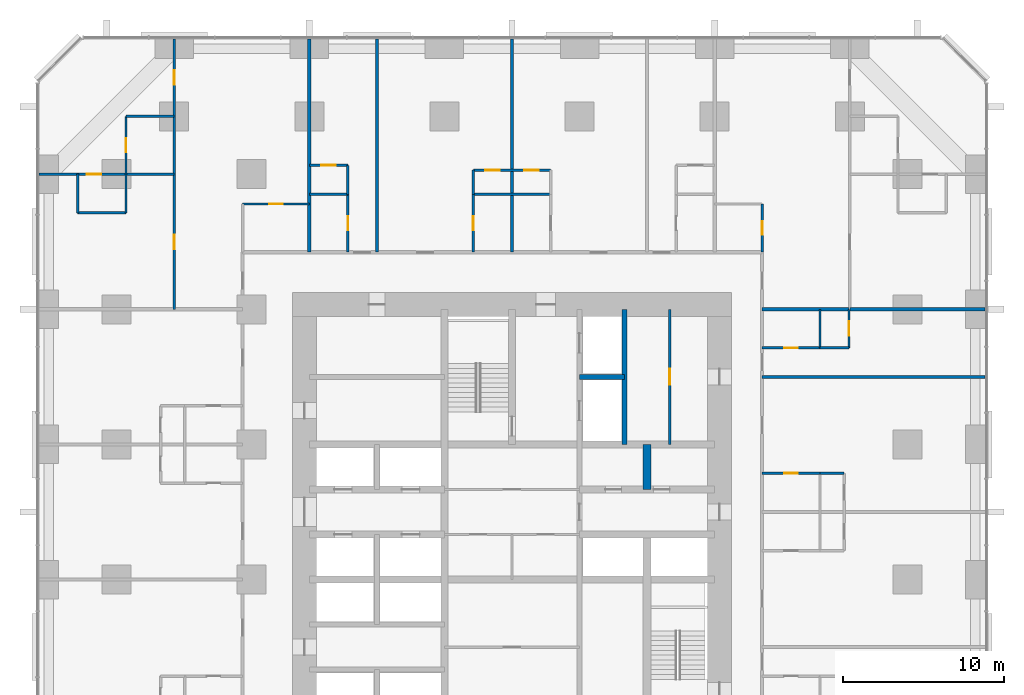
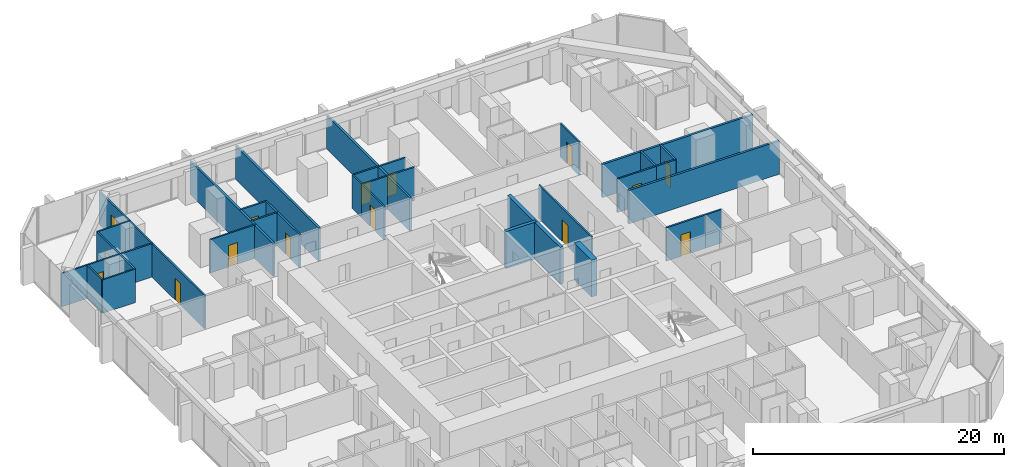
# One storey, part 15 of 17: 33 walls, 15 doors, 15 openings.
"""IFC4 building model written with IfcOpenShell, lengths in metres."""

from ifc_helpers import new_model, si_unit, direction, frame, frame_2d, origin, place, context, subcontext, project, spatial, rectangle, extrude, material, layer, layer_set, type_object, element, fill, save


model = new_model("IFC4")

# Units and contexts
model_context = context("Model", 3, precision=1e-05, world=origin(), true_north=direction((0.0, 1.0)))
body_context = subcontext(model_context, "Body", "Model", "MODEL_VIEW")
ifc_project = project(units=[si_unit("LENGTHUNIT", "METRE"), si_unit("AREAUNIT", "SQUARE_METRE"), si_unit("VOLUMEUNIT", "CUBIC_METRE"), si_unit("PLANEANGLEUNIT", "RADIAN"), si_unit("MASSUNIT", "GRAM", prefix="KILO")], contexts=[model_context])

# Site, building, storey
site_placement = place(None, origin())
site = spatial("IfcSite", under=ifc_project, at=site_placement, CompositionType="ELEMENT")
building_placement = place(site_placement, origin())
building = spatial("IfcBuilding", under=site, at=building_placement, Name="Dunama Terrace Hotel", CompositionType="ELEMENT")
storey_placement = place(building_placement, frame((0.0, 0.0, 70.199951171875)))
storey = spatial("IfcBuildingStorey", under=building, at=storey_placement, Name="L17", CompositionType="ELEMENT", Elevation=70.199951171875)

# Wall, opening, door
ifc_material_1 = material(Name="Gypsum board partition", Category="masonry")
ifc_layer_1 = layer(ifc_material_1, 0.14990234375)
ifc_layer_set_1 = layer_set([ifc_layer_1], Name="Bathroom partition 150")
wall_type_1 = type_object("IfcWallType", Name="Bathroom partition 150", PredefinedType="PARTITIONING", material=ifc_layer_set_1)
wall_1_placement = place(storey_placement, frame((5.39990234375, 50.39990234375, 0.0), z_axis=(0.0, 0.0, 1.0), x_axis=(0.0, 1.0, 0.0)))
wall_1 = element("IfcWall", 1, at=wall_1_placement, inside=storey, type_object=wall_type_1, Name="Bathroom partition 150 L17", PredefinedType="PARTITIONING", context=body_context, shape_type="SweptSolid", body=[
    extrude(rectangle(XDim=3.60009765625, YDim=0.14990234375, at=frame_2d((1.800048828125, 0.0))), origin(), (0.0, 0.0, 1.0), 3.25),
])
opening_1_placement = place(wall_1_placement, frame((1.375, 0.0, 0.0)))
opening_1 = element("IfcOpeningElement", 2, at=opening_1_placement, cuts=wall_1, Name="Opening L17-19-081", PredefinedType="OPENING", context=body_context, shape_type="SweptSolid", body=[
    extrude(rectangle(XDim=0.85009765625, YDim=2.10009765625, at=frame_2d((0.425048828125, 1.050048828125))), frame((0.0, 0.0849609375, 0.0), z_axis=(0.0, -1.0, 0.0), x_axis=(1.0, 0.0, 0.0)), (0.0, 0.0, 1.0), 0.169921875),
])
ifc_material_2 = material(Name="Timber door with steel frame", Category="steel")
door_type_1 = type_object("IfcDoorType", Name="Bathroom door 850", OperationType="SINGLE_SWING_LEFT", PredefinedType="DOOR", material=ifc_material_2)
door_1_placement = place(opening_1_placement, frame((0.85009765625, 0.0, 0.0), z_axis=(0.0, 0.0, 1.0), x_axis=(-1.0, 0.0, 0.0)))
door_1 = element("IfcDoor", 3, at=door_1_placement, inside=storey, type_object=door_type_1, Name="Door to en-suite bathroom L17-19-081, type D2", OperationType="SINGLE_SWING_RIGHT", OverallHeight=2.10009765625, OverallWidth=0.85009765625, PredefinedType="DOOR", context=body_context, shape_type="SweptSolid", body=[
    extrude(rectangle(XDim=0.85009765625, YDim=2.10009765625, at=frame_2d((0.425048828125, 1.050048828125))), frame((0.0, 0.025146484375, 0.0), z_axis=(0.0, -1.0, 0.0), x_axis=(1.0, 0.0, 0.0)), (0.0, 0.0, 1.0), 0.050048828125),
])
fill(opening_1, door_1)

wall_2_placement = place(storey_placement, frame((19.199951171875, 45.550048828125, 0.0), z_axis=(0.0, 0.0, 1.0), x_axis=(0.0, 1.0, 0.0)))
wall_2 = element("IfcWall", 4, at=wall_2_placement, inside=storey, type_object=wall_type_1, Name="Bathroom partition 150 L17", PredefinedType="PARTITIONING", context=body_context, shape_type="SweptSolid", body=[
    extrude(rectangle(XDim=3.599853515625, YDim=0.14990234375, at=frame_2d((1.7998046875, 0.0))), origin(), (0.0, 0.0, 1.0), 3.25),
])
opening_2_placement = place(wall_2_placement, frame((1.375, 0.0, 0.0)))
opening_2 = element("IfcOpeningElement", 5, at=opening_2_placement, cuts=wall_2, Name="Opening L17-19-040", PredefinedType="OPENING", context=body_context, shape_type="SweptSolid", body=[
    extrude(rectangle(XDim=0.85009765625, YDim=2.10009765625, at=frame_2d((0.425048828125, 1.050048828125))), frame((0.0, 0.0849609375, 0.0), z_axis=(0.0, -1.0, 0.0), x_axis=(1.0, 0.0, 0.0)), (0.0, 0.0, 1.0), 0.169921875),
])
door_2_placement = place(opening_2_placement, origin())
door_2 = element("IfcDoor", 6, at=door_2_placement, inside=storey, type_object=door_type_1, Name="Door to en-suite bathroom L17-19-040, type D2", OperationType="SINGLE_SWING_LEFT", OverallHeight=2.10009765625, OverallWidth=0.85009765625, PredefinedType="DOOR", context=body_context, shape_type="SweptSolid", body=[
    extrude(rectangle(XDim=0.85009765625, YDim=2.10009765625, at=frame_2d((0.425048828125, 1.050048828125))), frame((0.0, 0.02490234375, 0.0), z_axis=(0.0, -1.0, 0.0), x_axis=(1.0, 0.0, 0.0)), (0.0, 0.0, 1.0), 0.050048828125),
])
fill(opening_2, door_2)

wall_3_placement = place(storey_placement, frame((27.0, 45.550048828125, 0.0), z_axis=(0.0, 0.0, 1.0), x_axis=(0.0, 1.0, 0.0)))
wall_3 = element("IfcWall", 7, at=wall_3_placement, inside=storey, type_object=wall_type_1, Name="Bathroom partition 150 L17", PredefinedType="PARTITIONING", context=body_context, shape_type="SweptSolid", body=[
    extrude(rectangle(XDim=3.599853515625, YDim=0.14990234375, at=frame_2d((1.7998046875, 0.0))), origin(), (0.0, 0.0, 1.0), 3.25),
])
opening_3_placement = place(wall_3_placement, frame((1.375, 0.0, 0.0)))
opening_3 = element("IfcOpeningElement", 8, at=opening_3_placement, cuts=wall_3, Name="Opening L17-19-043", PredefinedType="OPENING", context=body_context, shape_type="SweptSolid", body=[
    extrude(rectangle(XDim=0.85009765625, YDim=2.10009765625, at=frame_2d((0.425048828125, 1.050048828125))), frame((0.0, 0.0849609375, 0.0), z_axis=(0.0, -1.0, 0.0), x_axis=(1.0, 0.0, 0.0)), (0.0, 0.0, 1.0), 0.169921875),
])
door_3_placement = place(opening_3_placement, frame((0.85009765625, 0.0, 0.0), z_axis=(0.0, 0.0, 1.0), x_axis=(-1.0, 0.0, 0.0)))
door_3 = element("IfcDoor", 9, at=door_3_placement, inside=storey, type_object=door_type_1, Name="Door to en-suite bathroom L17-19-043, type D2", OperationType="SINGLE_SWING_RIGHT", OverallHeight=2.10009765625, OverallWidth=0.85009765625, PredefinedType="DOOR", context=body_context, shape_type="SweptSolid", body=[
    extrude(rectangle(XDim=0.85009765625, YDim=2.10009765625, at=frame_2d((0.425048828125, 1.050048828125))), frame((0.0, 0.025146484375, 0.0), z_axis=(0.0, -1.0, 0.0), x_axis=(1.0, 0.0, 0.0)), (0.0, 0.0, 1.0), 0.050048828125),
])
fill(opening_3, door_3)

wall_4_placement = place(storey_placement, frame((44.949951171875, 45.550048828125, 0.0), z_axis=(0.0, 0.0, 1.0), x_axis=(0.0, 1.0, 0.0)))
wall_4 = element("IfcWall", 10, at=wall_4_placement, inside=storey, type_object=wall_type_1, Name="Bathroom partition 150 L17", PredefinedType="PARTITIONING", context=body_context, shape_type="SweptSolid", body=[
    extrude(rectangle(XDim=3.0, YDim=0.14990234375, at=frame_2d((1.5, 0.0))), origin(), (0.0, 0.0, 1.0), 3.25),
])
opening_4_placement = place(wall_4_placement, frame((1.074951171875, 0.0, 0.0)))
opening_4 = element("IfcOpeningElement", 11, at=opening_4_placement, cuts=wall_4, Name="Opening L17-19-073", PredefinedType="OPENING", context=body_context, shape_type="SweptSolid", body=[
    extrude(rectangle(XDim=0.85009765625, YDim=2.10009765625, at=frame_2d((0.425048828125, 1.050048828125))), frame((0.0, 0.0849609375, 0.0), z_axis=(0.0, -1.0, 0.0), x_axis=(1.0, 0.0, 0.0)), (0.0, 0.0, 1.0), 0.169921875),
])
door_4_placement = place(opening_4_placement, origin())
door_4 = element("IfcDoor", 12, at=door_4_placement, inside=storey, type_object=door_type_1, Name="Door to powder room L17-19-073, type D2", OperationType="SINGLE_SWING_LEFT", OverallHeight=2.10009765625, OverallWidth=0.85009765625, PredefinedType="DOOR", context=body_context, shape_type="SweptSolid", body=[
    extrude(rectangle(XDim=0.85009765625, YDim=2.10009765625, at=frame_2d((0.425048828125, 1.050048828125))), frame((0.0, 0.02490234375, 0.0), z_axis=(0.0, -1.0, 0.0), x_axis=(1.0, 0.0, 0.0)), (0.0, 0.0, 1.0), 0.050048828125),
])
fill(opening_4, door_4)

wall_5_placement = place(storey_placement, frame((44.949951171875, 31.800048828125, 0.0), z_axis=(0.0, 0.0, 1.0), x_axis=(1.0, 0.0, 0.0)))
wall_5 = element("IfcWall", 13, at=wall_5_placement, inside=storey, type_object=wall_type_1, Name="Bathroom partition 150 L17", PredefinedType="PARTITIONING", context=body_context, shape_type="SweptSolid", body=[
    extrude(rectangle(XDim=3.60009765625, YDim=0.14990234375, at=frame_2d((1.800048828125, 0.0))), origin(), (0.0, 0.0, 1.0), 3.25),
])
opening_5_placement = place(wall_5_placement, frame((1.375, 0.0, 0.0)))
opening_5 = element("IfcOpeningElement", 14, at=opening_5_placement, cuts=wall_5, Name="Opening L17-19-034", PredefinedType="OPENING", context=body_context, shape_type="SweptSolid", body=[
    extrude(rectangle(XDim=0.85009765625, YDim=2.10009765625, at=frame_2d((0.425048828125, 1.050048828125))), frame((0.0, 0.0849609375, 0.0), z_axis=(0.0, -1.0, 0.0), x_axis=(1.0, 0.0, 0.0)), (0.0, 0.0, 1.0), 0.169921875),
])
door_5_placement = place(opening_5_placement, frame((0.85009765625, 0.0, 0.0), z_axis=(0.0, 0.0, 1.0), x_axis=(-1.0, 0.0, 0.0)))
door_5 = element("IfcDoor", 15, at=door_5_placement, inside=storey, type_object=door_type_1, Name="Door to en-suite bathroom L17-19-034, type D2", OperationType="SINGLE_SWING_RIGHT", OverallHeight=2.10009765625, OverallWidth=0.85009765625, PredefinedType="DOOR", context=body_context, shape_type="SweptSolid", body=[
    extrude(rectangle(XDim=0.85009765625, YDim=2.10009765625, at=frame_2d((0.425048828125, 1.050048828125))), frame((0.0, 0.025146484375, 0.0), z_axis=(0.0, -1.0, 0.0), x_axis=(1.0, 0.0, 0.0)), (0.0, 0.0, 1.0), 0.050048828125),
])
fill(opening_5, door_5)

wall_6_placement = place(storey_placement, frame((44.949951171875, 39.60009765625, 0.0), z_axis=(0.0, 0.0, 1.0), x_axis=(1.0, 0.0, 0.0)))
wall_6 = element("IfcWall", 16, at=wall_6_placement, inside=storey, type_object=wall_type_1, Name="Bathroom partition 150 L17", PredefinedType="PARTITIONING", context=body_context, shape_type="SweptSolid", body=[
    extrude(rectangle(XDim=3.60009765625, YDim=0.14990234375, at=frame_2d((1.800048828125, 0.0))), origin(), (0.0, 0.0, 1.0), 3.25),
])
opening_6_placement = place(wall_6_placement, frame((1.375, 0.0, 0.0)))
opening_6 = element("IfcOpeningElement", 17, at=opening_6_placement, cuts=wall_6, Name="Opening L17-19-037", PredefinedType="OPENING", context=body_context, shape_type="SweptSolid", body=[
    extrude(rectangle(XDim=0.85009765625, YDim=2.10009765625, at=frame_2d((0.425048828125, 1.050048828125))), frame((0.0, 0.0849609375, 0.0), z_axis=(0.0, -1.0, 0.0), x_axis=(1.0, 0.0, 0.0)), (0.0, 0.0, 1.0), 0.169921875),
])
door_6_placement = place(opening_6_placement, origin())
door_6 = element("IfcDoor", 18, at=door_6_placement, inside=storey, type_object=door_type_1, Name="Door to en-suite bathroom L17-19-037, type D2", OperationType="SINGLE_SWING_LEFT", OverallHeight=2.10009765625, OverallWidth=0.85009765625, PredefinedType="DOOR", context=body_context, shape_type="SweptSolid", body=[
    extrude(rectangle(XDim=0.85009765625, YDim=2.10009765625, at=frame_2d((0.425048828125, 1.050048828125))), frame((0.0, 0.02490234375, 0.0), z_axis=(0.0, -1.0, 0.0), x_axis=(1.0, 0.0, 0.0)), (0.0, 0.0, 1.0), 0.050048828125),
])
fill(opening_6, door_6)

wall_7_placement = place(storey_placement, frame((12.64990234375, 48.550048828125, 0.0), z_axis=(0.0, 0.0, 1.0), x_axis=(1.0, 0.0, 0.0)))
wall_7 = element("IfcWall", 19, at=wall_7_placement, inside=storey, type_object=wall_type_1, Name="Bathroom partition 150 L17", PredefinedType="PARTITIONING", context=body_context, shape_type="SweptSolid", body=[
    extrude(rectangle(XDim=4.150146484375, YDim=0.14990234375, at=frame_2d((2.0751953125, 0.0))), origin(), (0.0, 0.0, 1.0), 3.25),
])
opening_7_placement = place(wall_7_placement, frame((1.64990234375, 0.0, 0.0)))
opening_7 = element("IfcOpeningElement", 20, at=opening_7_placement, cuts=wall_7, Name="Opening L17-19-079", PredefinedType="OPENING", context=body_context, shape_type="SweptSolid", body=[
    extrude(rectangle(XDim=0.85009765625, YDim=2.10009765625, at=frame_2d((0.425048828125, 1.050048828125))), frame((0.0, 0.0849609375, 0.0), z_axis=(0.0, -1.0, 0.0), x_axis=(1.0, 0.0, 0.0)), (0.0, 0.0, 1.0), 0.169921875),
])
door_7_placement = place(opening_7_placement, frame((0.85009765625, 0.0, 0.0), z_axis=(0.0, 0.0, 1.0), x_axis=(-1.0, 0.0, 0.0)))
door_7 = element("IfcDoor", 21, at=door_7_placement, inside=storey, type_object=door_type_1, Name="Door to powder room L17-19-079, type D2", OperationType="SINGLE_SWING_RIGHT", OverallHeight=2.10009765625, OverallWidth=0.85009765625, PredefinedType="DOOR", context=body_context, shape_type="SweptSolid", body=[
    extrude(rectangle(XDim=0.85009765625, YDim=2.10009765625, at=frame_2d((0.425048828125, 1.050048828125))), frame((0.0, 0.025146484375, 0.0), z_axis=(0.0, -1.0, 0.0), x_axis=(1.0, 0.0, 0.0)), (0.0, 0.0, 1.0), 0.050048828125),
])
fill(opening_7, door_7)

# Walls
wall_8_placement = place(storey_placement, frame((5.39990234375, 54.0, 0.0), z_axis=(0.0, 0.0, 1.0), x_axis=(1.0, 0.0, 0.0)))
element("IfcWall", 22, at=wall_8_placement, inside=storey, type_object=wall_type_1, Name="Bathroom partition 150 L17", PredefinedType="PARTITIONING", context=body_context, shape_type="SweptSolid", body=[
    extrude(rectangle(XDim=3.0, YDim=0.14990234375, at=frame_2d((1.5, 0.0))), origin(), (0.0, 0.0, 1.0), 3.25),
])
ifc_material_3 = material(Name="Concrete C50/60", Category="concrete")
ifc_layer_2 = layer(ifc_material_3, 0.300048828125)
ifc_layer_set_2 = layer_set([ifc_layer_2], Name="Core inner wall 300")
wall_type_2 = type_object("IfcWallType", Name="Core inner wall 300", PredefinedType="SHEAR", material=ifc_layer_set_2)
wall_9_placement = place(storey_placement, frame((36.39990234375, 33.60009765625, -0.349853515625), z_axis=(0.0, 0.0, 1.0), x_axis=(0.0, 1.0, 0.0)))
element("IfcWall", 23, at=wall_9_placement, inside=storey, type_object=wall_type_2, Name="Core inner wall 300 L17", PredefinedType="SHEAR", context=body_context, shape_type="SweptSolid", body=[
    extrude(rectangle(XDim=8.39990234375, YDim=0.300048828125, at=frame_2d((4.199951171875, 0.0))), origin(), (0.0, 0.0, 1.0), 3.599853515625),
])
wall_10_placement = place(storey_placement, frame((33.60009765625, 37.800048828125, -0.349853515625), z_axis=(0.0, 0.0, 1.0), x_axis=(1.0, 0.0, 0.0)))
element("IfcWall", 24, at=wall_10_placement, inside=storey, type_object=wall_type_2, Name="Core inner wall 300 L17", PredefinedType="SHEAR", context=body_context, shape_type="SweptSolid", body=[
    extrude(rectangle(XDim=2.7998046875, YDim=0.300048828125, at=frame_2d((1.39990234375, 0.0))), origin(), (0.0, 0.0, 1.0), 3.599853515625),
])
ifc_material_4 = material(Name="Concrete C50/60", Category="concrete")
ifc_layer_3 = layer(ifc_material_4, 0.5)
ifc_layer_set_3 = layer_set([ifc_layer_3], Name="Core inner wall 500")
wall_type_3 = type_object("IfcWallType", Name="Core inner wall 500", PredefinedType="SHEAR", material=ifc_layer_set_3)
wall_11_placement = place(storey_placement, frame((37.800048828125, 30.800048828125, -0.349853515625), z_axis=(0.0, 0.0, 1.0), x_axis=(0.0, 1.0, 0.0)))
element("IfcWall", 25, at=wall_11_placement, inside=storey, type_object=wall_type_3, Name="Core inner wall 500 L17", PredefinedType="SHEAR", context=body_context, shape_type="SweptSolid", body=[
    extrude(rectangle(XDim=2.800048828125, YDim=0.5, at=frame_2d((1.39990234375, 0.0))), origin(), (0.0, 0.0, 1.0), 3.599853515625),
])
ifc_material_5 = material(Name="Concrete blockwork", Category="masonry")
ifc_layer_4 = layer(ifc_material_5, 0.199951171875)
ifc_layer_set_4 = layer_set([ifc_layer_4], Name="Party wall 200")
wall_type_4 = type_object("IfcWallType", Name="Party wall 200", PredefinedType="PARTITIONING", material=ifc_layer_set_4)
for number, where, z_axis, x_axis, name in (
    (26, (16.800048828125, 45.550048828125, 0.0), (0.0, 0.0, 1.0), (0.0, 1.0, 0.0), "Party wall 200 L17"),
    (27, (21.0, 45.550048828125, 0.0), (0.0, 0.0, 1.0), (0.0, 1.0, 0.0), "Party wall 200 L17"),
    (28, (29.39990234375, 45.550048828125, 0.0), (0.0, 0.0, 1.0), (0.0, 1.0, 0.0), "Party wall 200 L17"),
):
    element("IfcWall", number, at=place(storey_placement, frame(where, z_axis=z_axis, x_axis=x_axis)), inside=storey, type_object=wall_type_4, Name=name, PredefinedType="PARTITIONING", context=body_context, shape_type="SweptSolid", body=[
        extrude(rectangle(XDim=13.258056640625, YDim=0.199951171875, at=frame_2d((6.62890625, 0.0))), origin(), (0.0, 0.0, 1.0), 3.25),
    ])
wall_12_placement = place(storey_placement, frame((44.949951171875, 37.800048828125, 0.0), z_axis=(0.0, 0.0, 1.0), x_axis=(1.0, 0.0, 0.0)))
element("IfcWall", 29, at=wall_12_placement, inside=storey, type_object=wall_type_4, Name="Party wall 200 L17", PredefinedType="PARTITIONING", context=body_context, shape_type="SweptSolid", body=[
    extrude(rectangle(XDim=13.858154296875, YDim=0.199951171875, at=frame_2d((6.92919921875, 0.0))), origin(), (0.0, 0.0, 1.0), 3.25),
])
wall_13_placement = place(storey_placement, frame((44.949951171875, 42.0, 0.0), z_axis=(0.0, 0.0, 1.0), x_axis=(1.0, 0.0, 0.0)))
element("IfcWall", 30, at=wall_13_placement, inside=storey, type_object=wall_type_4, Name="Party wall 200 L17", PredefinedType="PARTITIONING", context=body_context, shape_type="SweptSolid", body=[
    extrude(rectangle(XDim=5.400146484375, YDim=0.199951171875, at=frame_2d((2.7001953125, 0.0))), origin(), (0.0, 0.0, 1.0), 3.25),
])
wall_14_placement = place(storey_placement, frame((50.39990234375, 42.0, 0.0), z_axis=(0.0, 0.0, 1.0), x_axis=(1.0, 0.0, 0.0)))
element("IfcWall", 31, at=wall_14_placement, inside=storey, type_object=wall_type_4, Name="Party wall 200 L17", PredefinedType="PARTITIONING", context=body_context, shape_type="SweptSolid", body=[
    extrude(rectangle(XDim=8.408203125, YDim=0.199951171875, at=frame_2d((4.2041015625, 0.0))), origin(), (0.0, 0.0, 1.0), 3.25),
])
ifc_material_6 = material(Name="Gypsum board partition", Category="masonry")
ifc_layer_5 = layer(ifc_material_6, 0.14990234375)
ifc_layer_set_5 = layer_set([ifc_layer_5], Name="Room partition 150")
wall_type_5 = type_object("IfcWallType", Name="Room partition 150", PredefinedType="PARTITIONING", material=ifc_layer_set_5)
for number, where, z_axis, x_axis, name in (
    (32, (2.39990234375, 48.0, 0.0), (0.0, 0.0, 1.0), (0.0, 1.0, 0.0), "Room partition 150 L17"),
    (33, (5.39990234375, 48.0, 0.0), (0.0, 0.0, 1.0), (0.0, 1.0, 0.0), "Room partition 150 L17"),
):
    element("IfcWall", number, at=place(storey_placement, frame(where, z_axis=z_axis, x_axis=x_axis)), inside=storey, type_object=wall_type_5, Name=name, PredefinedType="PARTITIONING", context=body_context, shape_type="SweptSolid", body=[
        extrude(rectangle(XDim=2.39990234375, YDim=0.14990234375, at=frame_2d((1.199951171875, 0.0))), origin(), (0.0, 0.0, 1.0), 3.25),
    ])

# Wall, openings, doors
wall_15_placement = place(storey_placement, frame((8.39990234375, 42.0, 0.0), z_axis=(0.0, 0.0, 1.0), x_axis=(0.0, 1.0, 0.0)))
wall_15 = element("IfcWall", 34, at=wall_15_placement, inside=storey, type_object=wall_type_5, Name="Room partition 150 L17", PredefinedType="PARTITIONING", context=body_context, shape_type="SweptSolid", body=[
    extrude(rectangle(XDim=16.80810546875, YDim=0.14990234375, at=frame_2d((8.404052734375, 0.0))), origin(), (0.0, 0.0, 1.0), 3.25),
])
opening_8_placement = place(wall_15_placement, frame((13.949951171875, 0.0, 0.0)))
opening_8 = element("IfcOpeningElement", 35, at=opening_8_placement, cuts=wall_15, Name="Opening L17-19-080", PredefinedType="OPENING", context=body_context, shape_type="SweptSolid", body=[
    extrude(rectangle(XDim=0.89990234375, YDim=2.10009765625, at=frame_2d((0.449951171875, 1.050048828125))), frame((0.0, 0.0849609375, 0.0), z_axis=(0.0, -1.0, 0.0), x_axis=(1.0, 0.0, 0.0)), (0.0, 0.0, 1.0), 0.169921875),
])
opening_9_placement = place(wall_15_placement, frame((3.75, 0.0, 0.0)))
opening_9 = element("IfcOpeningElement", 36, at=opening_9_placement, cuts=wall_15, Name="Opening L17-19-083", PredefinedType="OPENING", context=body_context, shape_type="SweptSolid", body=[
    extrude(rectangle(XDim=0.89990234375, YDim=2.10009765625, at=frame_2d((0.449951171875, 1.050048828125))), frame((0.0, 0.0849609375, 0.0), z_axis=(0.0, -1.0, 0.0), x_axis=(1.0, 0.0, 0.0)), (0.0, 0.0, 1.0), 0.169921875),
])
ifc_material_7 = material(Name="Timber door with steel frame", Category="steel")
door_type_2 = type_object("IfcDoorType", Name="Suite internal door 900", OperationType="SINGLE_SWING_LEFT", PredefinedType="DOOR", material=ifc_material_7)
door_8_placement = place(opening_8_placement, origin())
door_8 = element("IfcDoor", 37, at=door_8_placement, inside=storey, type_object=door_type_2, Name="Door to corner suite bedroom L17-19-080, type D16", OperationType="SINGLE_SWING_RIGHT", OverallHeight=2.10009765625, OverallWidth=0.89990234375, PredefinedType="DOOR", context=body_context, shape_type="SweptSolid", body=[
    extrude(rectangle(XDim=0.89990234375, YDim=2.10009765625, at=frame_2d((0.449951171875, 1.050048828125))), frame((0.0, 0.02490234375, 0.0), z_axis=(0.0, -1.0, 0.0), x_axis=(1.0, 0.0, 0.0)), (0.0, 0.0, 1.0), 0.050048828125),
])
fill(opening_8, door_8)
door_9_placement = place(opening_9_placement, origin())
door_9 = element("IfcDoor", 38, at=door_9_placement, inside=storey, type_object=door_type_2, Name="Door to corner suite study L17-19-083, type D16", OperationType="SINGLE_SWING_RIGHT", OverallHeight=2.10009765625, OverallWidth=0.89990234375, PredefinedType="DOOR", context=body_context, shape_type="SweptSolid", body=[
    extrude(rectangle(XDim=0.89990234375, YDim=2.10009765625, at=frame_2d((0.449951171875, 1.050048828125))), frame((0.0, 0.02490234375, 0.0), z_axis=(0.0, -1.0, 0.0), x_axis=(1.0, 0.0, 0.0)), (0.0, 0.0, 1.0), 0.050048828125),
])
fill(opening_9, door_9)

# Walls
wall_16_placement = place(storey_placement, frame((19.199951171875, 49.14990234375, 0.0), z_axis=(0.0, 0.0, 1.0), x_axis=(0.0, 1.0, 0.0)))
element("IfcWall", 39, at=wall_16_placement, inside=storey, type_object=wall_type_5, Name="Room partition 150 L17", PredefinedType="PARTITIONING", context=body_context, shape_type="SweptSolid", body=[
    extrude(rectangle(XDim=1.800048828125, YDim=0.14990234375, at=frame_2d((0.89990234375, 0.0))), origin(), (0.0, 0.0, 1.0), 3.25),
])
wall_17_placement = place(storey_placement, frame((27.0, 49.14990234375, 0.0), z_axis=(0.0, 0.0, 1.0), x_axis=(0.0, 1.0, 0.0)))
element("IfcWall", 40, at=wall_17_placement, inside=storey, type_object=wall_type_5, Name="Room partition 150 L17", PredefinedType="PARTITIONING", context=body_context, shape_type="SweptSolid", body=[
    extrude(rectangle(XDim=1.5, YDim=0.14990234375, at=frame_2d((0.75, 0.0))), origin(), (0.0, 0.0, 1.0), 3.25),
])

# Wall, opening, door
wall_18_placement = place(storey_placement, frame((39.199951171875, 33.60009765625, 0.0), z_axis=(0.0, 0.0, 1.0), x_axis=(0.0, 1.0, 0.0)))
wall_18 = element("IfcWall", 41, at=wall_18_placement, inside=storey, type_object=wall_type_5, Name="Room partition 150 L17", PredefinedType="PARTITIONING", context=body_context, shape_type="SweptSolid", body=[
    extrude(rectangle(XDim=8.39990234375, YDim=0.14990234375, at=frame_2d((4.199951171875, 0.0))), origin(), (0.0, 0.0, 1.0), 3.25),
])
opening_10_placement = place(wall_18_placement, frame((3.699951171875, 0.0, 0.0)))
opening_10 = element("IfcOpeningElement", 42, at=opening_10_placement, cuts=wall_18, Name="Opening L17-19-097", PredefinedType="OPENING", context=body_context, shape_type="SweptSolid", body=[
    extrude(rectangle(XDim=1.0, YDim=2.10009765625, at=frame_2d((0.5, 1.050048828125))), frame((0.0, 0.0849609375, 0.0), z_axis=(0.0, -1.0, 0.0), x_axis=(1.0, 0.0, 0.0)), (0.0, 0.0, 1.0), 0.169921875),
])
ifc_material_8 = material(Name="Timber door with steel frame", Category="steel")
door_type_3 = type_object("IfcDoorType", Name="Service door 1000", OperationType="SINGLE_SWING_LEFT", PredefinedType="DOOR", material=ifc_material_8)
door_10_placement = place(opening_10_placement, frame((1.0, 0.0, 0.0), z_axis=(0.0, 0.0, 1.0), x_axis=(-1.0, 0.0, 0.0)))
door_10 = element("IfcDoor", 43, at=door_10_placement, inside=storey, type_object=door_type_3, Name="Door to guest amenities store L17-19-097, type D7", OperationType="SINGLE_SWING_RIGHT", OverallHeight=2.10009765625, OverallWidth=1.0, PredefinedType="DOOR", context=body_context, shape_type="SweptSolid", body=[
    extrude(rectangle(XDim=1.0, YDim=2.10009765625, at=frame_2d((0.5, 1.050048828125))), frame((0.0, 0.025146484375, 0.0), z_axis=(0.0, -1.0, 0.0), x_axis=(1.0, 0.0, 0.0)), (0.0, 0.0, 1.0), 0.050048828125),
])
fill(opening_10, door_10)

# Wall
wall_19_placement = place(storey_placement, frame((48.550048828125, 39.60009765625, 0.0), z_axis=(0.0, 0.0, 1.0), x_axis=(0.0, 1.0, 0.0)))
element("IfcWall", 44, at=wall_19_placement, inside=storey, type_object=wall_type_5, Name="Room partition 150 L17", PredefinedType="PARTITIONING", context=body_context, shape_type="SweptSolid", body=[
    extrude(rectangle(XDim=2.39990234375, YDim=0.14990234375, at=frame_2d((1.199951171875, 0.0))), origin(), (0.0, 0.0, 1.0), 3.25),
])

# Wall, opening, door
wall_20_placement = place(storey_placement, frame((50.35009765625, 39.60009765625, 0.0), z_axis=(0.0, 0.0, 1.0), x_axis=(0.0, 1.0, 0.0)))
wall_20 = element("IfcWall", 45, at=wall_20_placement, inside=storey, type_object=wall_type_5, Name="Room partition 150 L17", PredefinedType="PARTITIONING", context=body_context, shape_type="SweptSolid", body=[
    extrude(rectangle(XDim=2.39990234375, YDim=0.14990234375, at=frame_2d((1.199951171875, 0.0))), origin(), (0.0, 0.0, 1.0), 3.25),
])
opening_11_placement = place(wall_20_placement, frame((0.75, 0.0, 0.0)))
opening_11 = element("IfcOpeningElement", 46, at=opening_11_placement, cuts=wall_20, Name="Opening L17-19-038", PredefinedType="OPENING", context=body_context, shape_type="SweptSolid", body=[
    extrude(rectangle(XDim=0.89990234375, YDim=2.10009765625, at=frame_2d((0.449951171875, 1.050048828125))), frame((0.0, 0.0849609375, 0.0), z_axis=(0.0, -1.0, 0.0), x_axis=(1.0, 0.0, 0.0)), (0.0, 0.0, 1.0), 0.169921875),
])
door_11_placement = place(opening_11_placement, origin())
door_11 = element("IfcDoor", 47, at=door_11_placement, inside=storey, type_object=door_type_2, Name="Door to walk-in wardrobe L17-19-038, type D16", OperationType="SINGLE_SWING_RIGHT", OverallHeight=2.10009765625, OverallWidth=0.89990234375, PredefinedType="DOOR", context=body_context, shape_type="SweptSolid", body=[
    extrude(rectangle(XDim=0.89990234375, YDim=2.10009765625, at=frame_2d((0.449951171875, 1.050048828125))), frame((0.0, 0.02490234375, 0.0), z_axis=(0.0, -1.0, 0.0), x_axis=(1.0, 0.0, 0.0)), (0.0, 0.0, 1.0), 0.050048828125),
])
fill(opening_11, door_11)

# Walls
wall_21_placement = place(storey_placement, frame((48.550048828125, 31.800048828125, 0.0), z_axis=(0.0, 0.0, 1.0), x_axis=(1.0, 0.0, 0.0)))
element("IfcWall", 48, at=wall_21_placement, inside=storey, type_object=wall_type_5, Name="Room partition 150 L17", PredefinedType="PARTITIONING", context=body_context, shape_type="SweptSolid", body=[
    extrude(rectangle(XDim=1.5, YDim=0.14990234375, at=frame_2d((0.75, 0.0))), origin(), (0.0, 0.0, 1.0), 3.25),
])
wall_22_placement = place(storey_placement, frame((48.550048828125, 39.60009765625, 0.0), z_axis=(0.0, 0.0, 1.0), x_axis=(1.0, 0.0, 0.0)))
element("IfcWall", 49, at=wall_22_placement, inside=storey, type_object=wall_type_5, Name="Room partition 150 L17", PredefinedType="PARTITIONING", context=body_context, shape_type="SweptSolid", body=[
    extrude(rectangle(XDim=1.800048828125, YDim=0.14990234375, at=frame_2d((0.89990234375, 0.0))), origin(), (0.0, 0.0, 1.0), 3.25),
])
wall_23_placement = place(storey_placement, frame((2.39990234375, 48.0, 0.0), z_axis=(0.0, 0.0, 1.0), x_axis=(1.0, 0.0, 0.0)))
element("IfcWall", 50, at=wall_23_placement, inside=storey, type_object=wall_type_5, Name="Room partition 150 L17", PredefinedType="PARTITIONING", context=body_context, shape_type="SweptSolid", body=[
    extrude(rectangle(XDim=3.0, YDim=0.14990234375, at=frame_2d((1.5, 0.0))), origin(), (0.0, 0.0, 1.0), 3.25),
])
wall_24_placement = place(storey_placement, frame((16.800048828125, 49.14990234375, 0.0), z_axis=(0.0, 0.0, 1.0), x_axis=(1.0, 0.0, 0.0)))
element("IfcWall", 51, at=wall_24_placement, inside=storey, type_object=wall_type_5, Name="Room partition 150 L17", PredefinedType="PARTITIONING", context=body_context, shape_type="SweptSolid", body=[
    extrude(rectangle(XDim=2.39990234375, YDim=0.14990234375, at=frame_2d((1.199951171875, 0.0))), origin(), (0.0, 0.0, 1.0), 3.25),
])
wall_25_placement = place(storey_placement, frame((27.0, 49.14990234375, 0.0), z_axis=(0.0, 0.0, 1.0), x_axis=(1.0, 0.0, 0.0)))
element("IfcWall", 52, at=wall_25_placement, inside=storey, type_object=wall_type_5, Name="Room partition 150 L17", PredefinedType="PARTITIONING", context=body_context, shape_type="SweptSolid", body=[
    extrude(rectangle(XDim=4.800048828125, YDim=0.14990234375, at=frame_2d((2.39990234375, 0.0))), origin(), (0.0, 0.0, 1.0), 3.25),
])

# Wall, opening, door
wall_26_placement = place(storey_placement, frame((-0.008056640625, 50.39990234375, 0.0), z_axis=(0.0, 0.0, 1.0), x_axis=(1.0, 0.0, 0.0)))
wall_26 = element("IfcWall", 53, at=wall_26_placement, inside=storey, type_object=wall_type_5, Name="Room partition 150 L17", PredefinedType="PARTITIONING", context=body_context, shape_type="SweptSolid", body=[
    extrude(rectangle(XDim=8.407958984375, YDim=0.14990234375, at=frame_2d((4.2041015625, 0.0))), origin(), (0.0, 0.0, 1.0), 3.25),
])
opening_12_placement = place(wall_26_placement, frame((2.9580078125, 0.0, 0.0)))
opening_12 = element("IfcOpeningElement", 54, at=opening_12_placement, cuts=wall_26, Name="Opening L17-19-082", PredefinedType="OPENING", context=body_context, shape_type="SweptSolid", body=[
    extrude(rectangle(XDim=0.89990234375, YDim=2.10009765625, at=frame_2d((0.449951171875, 1.050048828125))), frame((0.0, 0.0849609375, 0.0), z_axis=(0.0, -1.0, 0.0), x_axis=(1.0, 0.0, 0.0)), (0.0, 0.0, 1.0), 0.169921875),
])
door_12_placement = place(opening_12_placement, frame((0.89990234375, 0.0, 0.0), z_axis=(0.0, 0.0, 1.0), x_axis=(-1.0, 0.0, 0.0)))
door_12 = element("IfcDoor", 55, at=door_12_placement, inside=storey, type_object=door_type_2, Name="Door to dressing room L17-19-082, type D16", OperationType="SINGLE_SWING_LEFT", OverallHeight=2.10009765625, OverallWidth=0.89990234375, PredefinedType="DOOR", context=body_context, shape_type="SweptSolid", body=[
    extrude(rectangle(XDim=0.89990234375, YDim=2.10009765625, at=frame_2d((0.449951171875, 1.050048828125))), frame((0.0, 0.025146484375, 0.0), z_axis=(0.0, -1.0, 0.0), x_axis=(1.0, 0.0, 0.0)), (0.0, 0.0, 1.0), 0.050048828125),
])
fill(opening_12, door_12)

# Wall, openings, doors
wall_27_placement = place(storey_placement, frame((27.0, 50.64990234375, 0.0), z_axis=(0.0, 0.0, 1.0), x_axis=(1.0, 0.0, 0.0)))
wall_27 = element("IfcWall", 56, at=wall_27_placement, inside=storey, type_object=wall_type_5, Name="Room partition 150 L17", PredefinedType="PARTITIONING", context=body_context, shape_type="SweptSolid", body=[
    extrude(rectangle(XDim=4.800048828125, YDim=0.14990234375, at=frame_2d((2.39990234375, 0.0))), origin(), (0.0, 0.0, 1.0), 3.25),
])
opening_13_placement = place(wall_27_placement, frame((0.75, 0.0, 0.0)))
opening_13 = element("IfcOpeningElement", 57, at=opening_13_placement, cuts=wall_27, Name="Opening L17-19-044", PredefinedType="OPENING", context=body_context, shape_type="SweptSolid", body=[
    extrude(rectangle(XDim=0.89990234375, YDim=2.10009765625, at=frame_2d((0.449951171875, 1.050048828125))), frame((0.0, 0.0849609375, 0.0), z_axis=(0.0, -1.0, 0.0), x_axis=(1.0, 0.0, 0.0)), (0.0, 0.0, 1.0), 0.169921875),
])
opening_14_placement = place(wall_27_placement, frame((3.14990234375, 0.0, 0.0)))
opening_14 = element("IfcOpeningElement", 58, at=opening_14_placement, cuts=wall_27, Name="Opening L17-19-047", PredefinedType="OPENING", context=body_context, shape_type="SweptSolid", body=[
    extrude(rectangle(XDim=0.89990234375, YDim=2.10009765625, at=frame_2d((0.449951171875, 1.050048828125))), frame((0.0, 0.0849609375, 0.0), z_axis=(0.0, -1.0, 0.0), x_axis=(1.0, 0.0, 0.0)), (0.0, 0.0, 1.0), 0.169921875),
])
door_13_placement = place(opening_13_placement, frame((0.89990234375, 0.0, 0.0), z_axis=(0.0, 0.0, 1.0), x_axis=(-1.0, 0.0, 0.0)))
door_13 = element("IfcDoor", 59, at=door_13_placement, inside=storey, type_object=door_type_2, Name="Door to walk-in wardrobe L17-19-044, type D16", OperationType="SINGLE_SWING_RIGHT", OverallHeight=2.10009765625, OverallWidth=0.89990234375, PredefinedType="DOOR", context=body_context, shape_type="SweptSolid", body=[
    extrude(rectangle(XDim=0.89990234375, YDim=2.10009765625, at=frame_2d((0.449951171875, 1.050048828125))), frame((0.0, 0.025146484375, 0.0), z_axis=(0.0, -1.0, 0.0), x_axis=(1.0, 0.0, 0.0)), (0.0, 0.0, 1.0), 0.050048828125),
])
fill(opening_13, door_13)
door_14_placement = place(opening_14_placement, frame((0.89990234375, 0.0, 0.0), z_axis=(0.0, 0.0, 1.0), x_axis=(-1.0, 0.0, 0.0)))
door_14 = element("IfcDoor", 60, at=door_14_placement, inside=storey, type_object=door_type_2, Name="Door to walk-in wardrobe L17-19-047, type D16", OperationType="SINGLE_SWING_RIGHT", OverallHeight=2.10009765625, OverallWidth=0.89990234375, PredefinedType="DOOR", context=body_context, shape_type="SweptSolid", body=[
    extrude(rectangle(XDim=0.89990234375, YDim=2.10009765625, at=frame_2d((0.449951171875, 1.050048828125))), frame((0.0, 0.025146484375, 0.0), z_axis=(0.0, -1.0, 0.0), x_axis=(1.0, 0.0, 0.0)), (0.0, 0.0, 1.0), 0.050048828125),
])
fill(opening_14, door_14)

# Wall, opening, door
wall_28_placement = place(storey_placement, frame((16.800048828125, 50.949951171875, 0.0), z_axis=(0.0, 0.0, 1.0), x_axis=(1.0, 0.0, 0.0)))
wall_28 = element("IfcWall", 61, at=wall_28_placement, inside=storey, type_object=wall_type_5, Name="Room partition 150 L17", PredefinedType="PARTITIONING", context=body_context, shape_type="SweptSolid", body=[
    extrude(rectangle(XDim=2.39990234375, YDim=0.14990234375, at=frame_2d((1.199951171875, 0.0))), origin(), (0.0, 0.0, 1.0), 3.25),
])
opening_15_placement = place(wall_28_placement, frame((0.75, 0.0, 0.0)))
opening_15 = element("IfcOpeningElement", 62, at=opening_15_placement, cuts=wall_28, Name="Opening L17-19-041", PredefinedType="OPENING", context=body_context, shape_type="SweptSolid", body=[
    extrude(rectangle(XDim=0.89990234375, YDim=2.10009765625, at=frame_2d((0.449951171875, 1.050048828125))), frame((0.0, 0.0849609375, 0.0), z_axis=(0.0, -1.0, 0.0), x_axis=(1.0, 0.0, 0.0)), (0.0, 0.0, 1.0), 0.169921875),
])
door_15_placement = place(opening_15_placement, frame((0.89990234375, 0.0, 0.0), z_axis=(0.0, 0.0, 1.0), x_axis=(-1.0, 0.0, 0.0)))
door_15 = element("IfcDoor", 63, at=door_15_placement, inside=storey, type_object=door_type_2, Name="Door to walk-in wardrobe L17-19-041, type D16", OperationType="SINGLE_SWING_RIGHT", OverallHeight=2.10009765625, OverallWidth=0.89990234375, PredefinedType="DOOR", context=body_context, shape_type="SweptSolid", body=[
    extrude(rectangle(XDim=0.89990234375, YDim=2.10009765625, at=frame_2d((0.449951171875, 1.050048828125))), frame((0.0, 0.025146484375, 0.0), z_axis=(0.0, -1.0, 0.0), x_axis=(1.0, 0.0, 0.0)), (0.0, 0.0, 1.0), 0.050048828125),
])
fill(opening_15, door_15)

save(model, "model.ifc")
